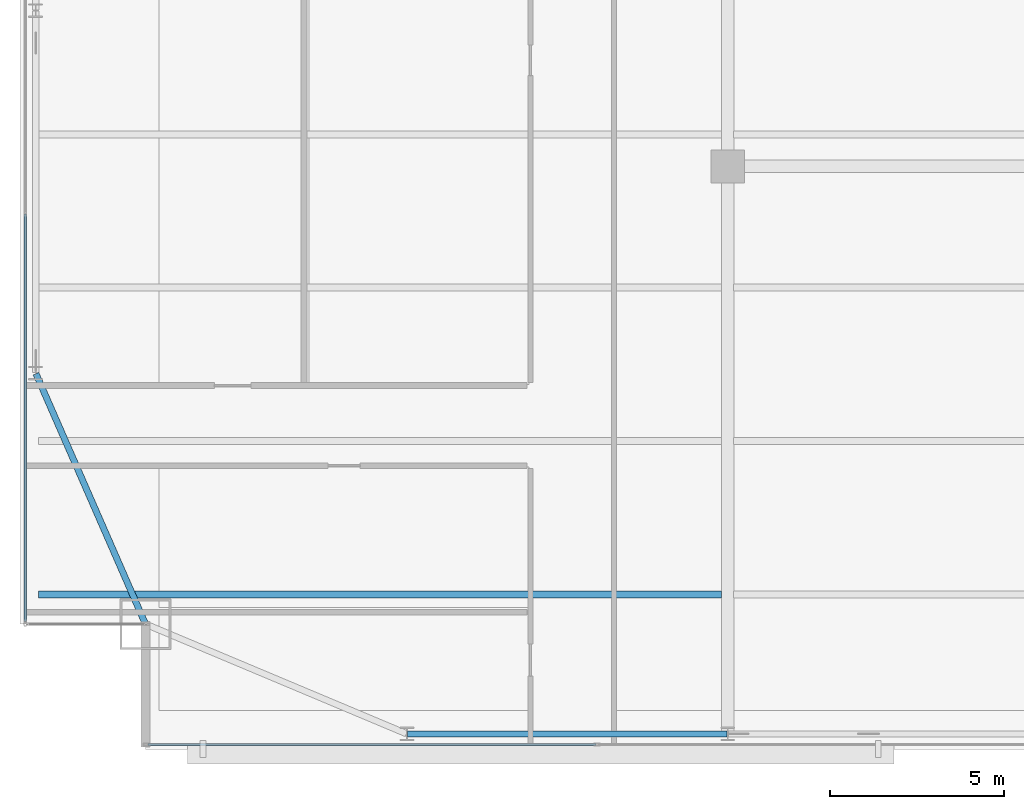
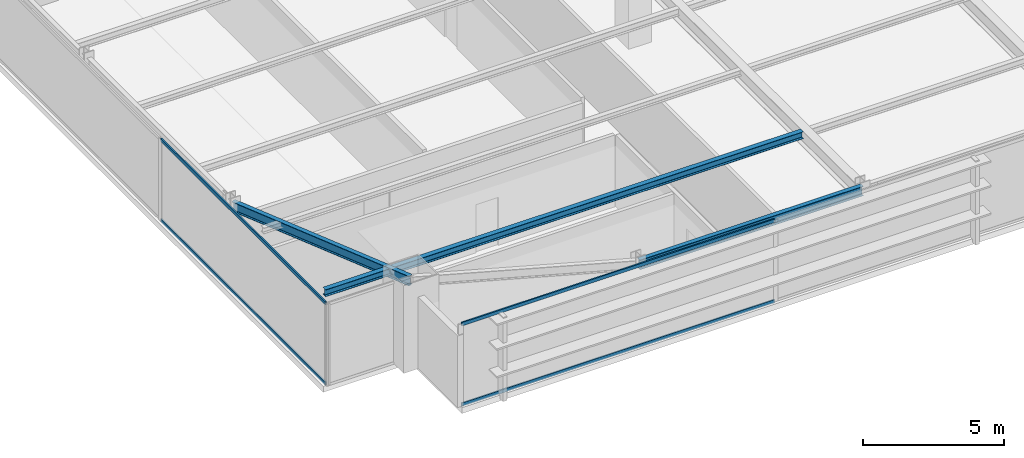
# One storey, part 5 of 32: 4 members, 3 beams, 2 elements without a shape of their own.
"""IFC4 building model written with IfcOpenShell, lengths in metres."""

from ifc_helpers import new_model, si_unit, direction, frame, origin, origin_2d, place, context, subcontext, project, spatial, hollow_rectangle, i_section, extrude, source, transform, mapped, material, layer, layer_set, material_profile, profile_set, type_object, type_shapes, element, aggregate, save


model = new_model("IFC4")

# Units and contexts
model_context = context("Model", 3, precision=1e-05, world=origin(), true_north=direction((0.0, 1.0)))
body_context = subcontext(model_context, "Body", "Model", "MODEL_VIEW")
ifc_project = project(units=[si_unit("LENGTHUNIT", "METRE"), si_unit("AREAUNIT", "SQUARE_METRE"), si_unit("VOLUMEUNIT", "CUBIC_METRE"), si_unit("PLANEANGLEUNIT", "RADIAN"), si_unit("MASSUNIT", "GRAM", prefix="KILO")], contexts=[model_context])

# Site, building, storey
site_placement = place(None, origin())
site = spatial("IfcSite", under=ifc_project, at=site_placement, CompositionType="ELEMENT")
building_placement = place(site_placement, origin())
building = spatial("IfcBuilding", under=site, at=building_placement, Name="Varnel Quay Broadcast Tower", CompositionType="ELEMENT")
storey_placement = place(building_placement, frame((0.0, 0.0, 90.800048828125)))
storey = spatial("IfcBuildingStorey", under=building, at=storey_placement, Name="L21", CompositionType="ELEMENT", Elevation=90.800048828125)

# Beams
ifc_material_1 = material(Name="Structural Steel CSA G40.21 350W", Category="steel")
ifc_material_profile_1 = material_profile(ifc_material_1, i_section(OverallWidth=0.180908203125, OverallDepth=0.4169921875, WebThickness=0.010986328125, FlangeThickness=0.018310546875, FilletRadius=0.011962890625, at=origin_2d()), Name="W410X85")
ifc_profile_set_1 = profile_set([ifc_material_profile_1], Name="Structural Steel CSA G40.21 350W")
beam_type_1 = type_object("IfcBeamType", Name="Beam_W410X85", PredefinedType="SPANDREL", material=ifc_profile_set_1)
shared_shape_1 = source(origin(), body_context, "Body", "SweptSolid", [
    extrude(i_section(OverallWidth=0.180908203125, OverallDepth=0.4169921875, WebThickness=0.010986328125, FlangeThickness=0.018310546875, FilletRadius=0.011962890625, at=origin_2d()), origin(), (0.0, 0.0, 1.0), 9.159912109375),
])
beam_1_placement = place(storey_placement, frame((15.6201171875, 4.64990234375, 3.341552734375), z_axis=(1.0, 0.0, 0.0), x_axis=(0.0, 1.0, 0.0)))
element("IfcBeam", 1, at=beam_1_placement, inside=storey, type_object=beam_type_1, Name="L21 South Spandrel TC-S1-TC-S2", PredefinedType="SPANDREL", context=body_context, shape_type="MappedRepresentation", body=[
    mapped(shared_shape_1, transform((0.0, 0.0, 0.0), x_axis=(1.0, 0.0, 0.0), y_axis=(0.0, 1.0, 0.0), z_axis=(0.0, 0.0, 1.0), scale=1.0)),
])
shared_shape_2 = source(origin(), body_context, "Body", "SweptSolid", [
    extrude(i_section(OverallWidth=0.180908203125, OverallDepth=0.4169921875, WebThickness=0.010986328125, FlangeThickness=0.018310546875, FilletRadius=0.011962890625, at=origin_2d()), origin(), (0.0, 0.0, 1.0), 7.81884765625),
])
type_shapes(beam_type_1, [shared_shape_1, shared_shape_2])
beam_2_placement = place(storey_placement, frame((8.092041015625, 7.818359375, 3.341552734375), z_axis=(-0.400827023998, 0.916153751743, 0.0), x_axis=(-0.916153751743, -0.400827023998, 0.0)))
element("IfcBeam", 2, at=beam_2_placement, inside=storey, type_object=beam_type_1, Name="L21 West Spandrel MC-SW-TC-W1", PredefinedType="SPANDREL", context=body_context, shape_type="MappedRepresentation", body=[
    mapped(shared_shape_2, transform((0.0, 0.0, 0.0), x_axis=(1.0, 0.0, 0.0), y_axis=(0.0, 1.0, 0.0), z_axis=(0.0, 0.0, 1.0), scale=1.0)),
])
ifc_material_profile_2 = material_profile(ifc_material_1, i_section(OverallWidth=0.202880859375, OverallDepth=0.302978515625, WebThickness=0.007568359375, FlangeThickness=0.01318359375, FilletRadius=0.011962890625, at=origin_2d()), Name="W310X60")
ifc_profile_set_2 = profile_set([ifc_material_profile_2], Name="Structural Steel CSA G40.21 350W")
beam_type_2 = type_object("IfcBeamType", Name="Beam_W310X60", PredefinedType="JOIST", material=ifc_profile_set_2)
shared_shape_3 = source(origin(), body_context, "Body", "SweptSolid", [
    extrude(i_section(OverallWidth=0.202880859375, OverallDepth=0.302978515625, WebThickness=0.007568359375, FlangeThickness=0.01318359375, FilletRadius=0.011962890625, at=origin_2d()), origin(), (0.0, 0.0, 1.0), 19.592041015625),
])
type_shapes(beam_type_2, [shared_shape_3])
beam_3_placement = place(storey_placement, frame((5.035400390625, 8.64990234375, 3.3984375), z_axis=(1.0, 0.0, 0.0), x_axis=(0.0, 1.0, 0.0)))
element("IfcBeam", 3, at=beam_3_placement, inside=storey, type_object=beam_type_2, Name="L21 West Floor Joist 1", PredefinedType="JOIST", context=body_context, shape_type="MappedRepresentation", body=[
    mapped(shared_shape_3, transform((0.0, 0.0, 0.0), x_axis=(1.0, 0.0, 0.0), y_axis=(0.0, 1.0, 0.0), z_axis=(0.0, 0.0, 1.0), scale=1.0)),
])

# Curtain wall, members
ifc_material_2 = material(Name="Anodised Bronze Aluminium 6063-T6", Category="aluminium")
ifc_layer = layer(ifc_material_2, 0.18994140625, Name="Anodised Bronze Aluminium 6063-T6")
ifc_layer_set = layer_set([ifc_layer], Name="Anodised Bronze Aluminium 6063-T6")
curtain_wall_type = type_object("IfcCurtainWallType", Name="CW_LowerTower", PredefinedType="NOTDEFINED", material=ifc_layer_set)
curtain_wall_1_placement = place(storey_placement, origin())
curtain_wall_1 = element("IfcCurtainWall", 4, at=curtain_wall_1_placement, inside=storey, type_object=curtain_wall_type, Name="L21 West Unitised Curtain Wall", PredefinedType="NOTDEFINED")
ifc_material_profile_3 = material_profile(ifc_material_2, hollow_rectangle(XDim=0.06005859375, YDim=0.14501953125, WallThickness=0.00341796875, at=origin_2d()), Name="ALU60X145X3.5")
ifc_profile_set_3 = profile_set([ifc_material_profile_3], Name="Anodised Bronze Aluminium 6063-T6")
member_type = type_object("IfcMemberType", Name="Tran_CWS-02", PredefinedType="USERDEFINED", material=ifc_profile_set_3)
shared_shape_4 = source(origin(), body_context, "Body", "SweptSolid", [
    extrude(hollow_rectangle(XDim=0.06005859375, YDim=0.14501953125, WallThickness=0.00341796875, at=origin_2d()), origin(), (0.0, 0.0, 1.0), 11.69482421875),
])
member_1_placement = place(storey_placement, frame((4.64990234375, 7.8701171875, 0.030029296875), z_axis=(0.0, 1.0, 0.0), x_axis=(-1.0, 0.0, 0.0)))
member_1 = element("IfcMember", 5, at=member_1_placement, type_object=member_type, Name="CWS-02 transom 1.1", ObjectType="TRANSOM", PredefinedType="USERDEFINED", context=body_context, shape_type="MappedRepresentation", body=[
    mapped(shared_shape_4, transform((0.0, 0.0, 0.0), x_axis=(1.0, 0.0, 0.0), y_axis=(0.0, 1.0, 0.0), z_axis=(0.0, 0.0, 1.0), scale=1.0)),
])
member_2_placement = place(storey_placement, frame((4.64990234375, 7.8701171875, 3.52001953125), z_axis=(0.0, 1.0, 0.0), x_axis=(-1.0, 0.0, 0.0)))
member_2 = element("IfcMember", 6, at=member_2_placement, type_object=member_type, Name="CWS-02 transom 1.2", ObjectType="TRANSOM", PredefinedType="USERDEFINED", context=body_context, shape_type="MappedRepresentation", body=[
    mapped(shared_shape_4, transform((0.0, 0.0, 0.0), x_axis=(1.0, 0.0, 0.0), y_axis=(0.0, 1.0, 0.0), z_axis=(0.0, 0.0, 1.0), scale=1.0)),
])
aggregate(curtain_wall_1, [member_1, member_2])

curtain_wall_2_placement = place(storey_placement, origin())
curtain_wall_2 = element("IfcCurtainWall", 7, at=curtain_wall_2_placement, inside=storey, type_object=curtain_wall_type, Name="L21 South Unitised Curtain Wall 1", PredefinedType="NOTDEFINED")
shared_shape_5 = source(origin(), body_context, "Body", "SweptSolid", [
    extrude(hollow_rectangle(XDim=0.06005859375, YDim=0.14501953125, WallThickness=0.00341796875, at=origin_2d()), origin(), (0.0, 0.0, 1.0), 12.844970703125),
])
type_shapes(member_type, [shared_shape_4, shared_shape_5])
member_3_placement = place(storey_placement, frame((8.169921875, 4.35009765625, 0.030029296875), z_axis=(1.0, 0.0, 0.0), x_axis=(0.0, 1.0, 0.0)))
member_3 = element("IfcMember", 8, at=member_3_placement, type_object=member_type, Name="CWS-02 transom 1.1", ObjectType="TRANSOM", PredefinedType="USERDEFINED", context=body_context, shape_type="MappedRepresentation", body=[
    mapped(shared_shape_5, transform((0.0, 0.0, 0.0), x_axis=(1.0, 0.0, 0.0), y_axis=(0.0, 1.0, 0.0), z_axis=(0.0, 0.0, 1.0), scale=1.0)),
])
member_4_placement = place(storey_placement, frame((8.169921875, 4.35009765625, 3.52001953125), z_axis=(1.0, 0.0, 0.0), x_axis=(0.0, 1.0, 0.0)))
member_4 = element("IfcMember", 9, at=member_4_placement, type_object=member_type, Name="CWS-02 transom 1.2", ObjectType="TRANSOM", PredefinedType="USERDEFINED", context=body_context, shape_type="MappedRepresentation", body=[
    mapped(shared_shape_5, transform((0.0, 0.0, 0.0), x_axis=(1.0, 0.0, 0.0), y_axis=(0.0, 1.0, 0.0), z_axis=(0.0, 0.0, 1.0), scale=1.0)),
])
aggregate(curtain_wall_2, [member_3, member_4])

save(model, "model.ifc")
